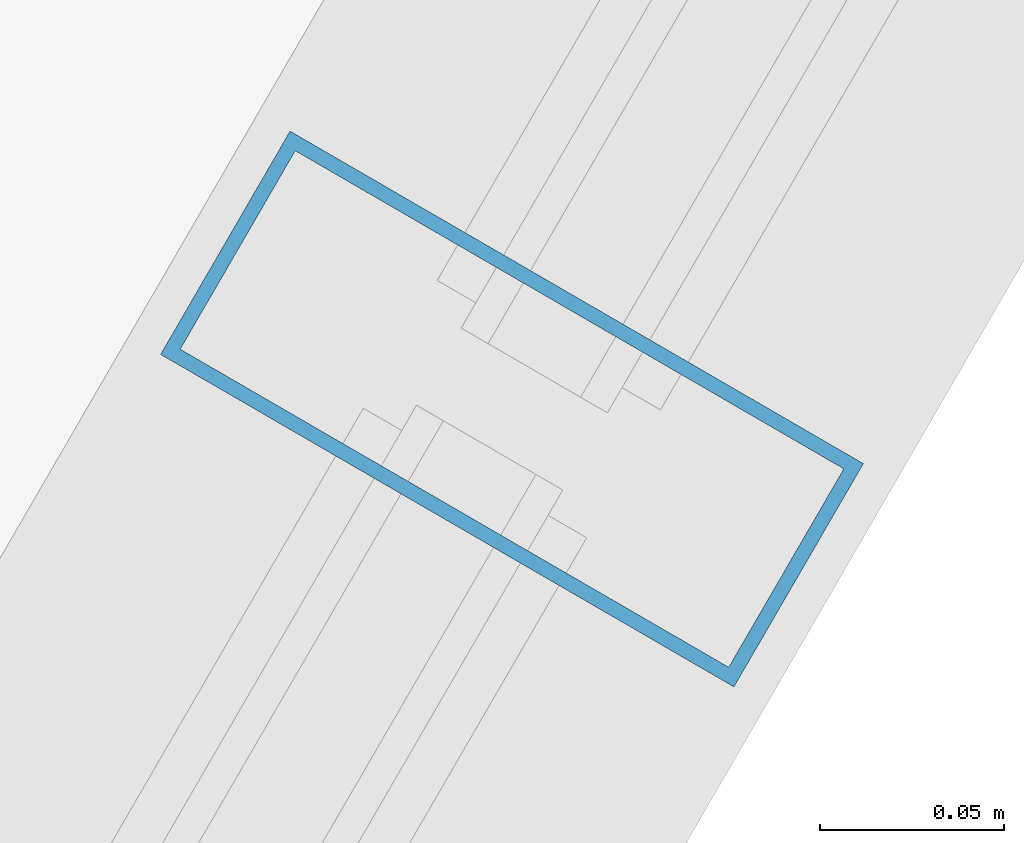
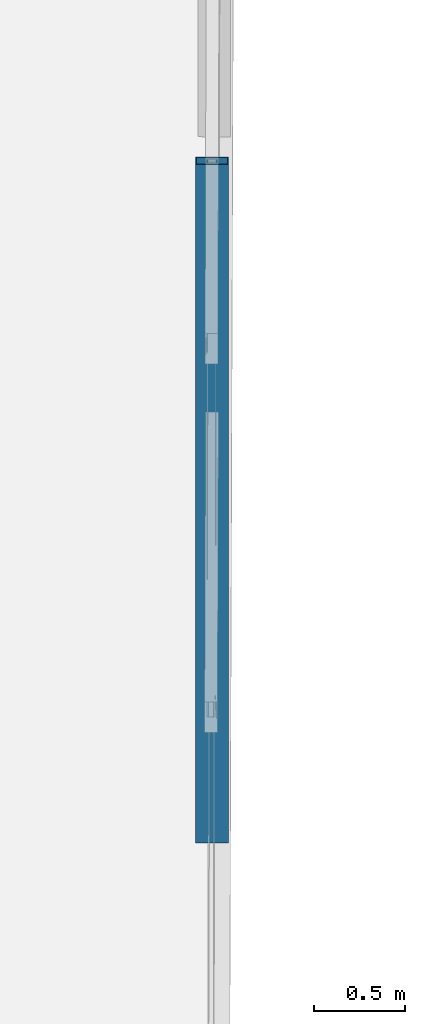
# One storey, part 61 of 186: 1 member, 1 element without a shape of its own.
"""IFC4 building model written with IfcOpenShell, lengths in metres."""

from ifc_helpers import new_model, si_unit, direction, frame, origin, origin_2d, place, context, subcontext, project, spatial, hollow_rectangle, extrude, material, layer, layer_set, material_profile, profile_set, type_object, element, aggregate, save


model = new_model("IFC4")

# Units and contexts
model_context = context("Model", 3, precision=1e-05, world=origin(), true_north=direction((0.0, 1.0)))
body_context = subcontext(model_context, "Body", "Model", "MODEL_VIEW")
ifc_project = project(units=[si_unit("LENGTHUNIT", "METRE"), si_unit("AREAUNIT", "SQUARE_METRE"), si_unit("VOLUMEUNIT", "CUBIC_METRE"), si_unit("PLANEANGLEUNIT", "RADIAN"), si_unit("MASSUNIT", "GRAM", prefix="KILO")], contexts=[model_context])

# Site, building, storey
site_placement = place(None, origin())
site = spatial("IfcSite", under=ifc_project, at=site_placement, CompositionType="ELEMENT")
building_placement = place(site_placement, origin())
building = spatial("IfcBuilding", under=site, at=building_placement, Name="Kazemori Nagisa Stadium", CompositionType="ELEMENT")
storey_placement = place(building_placement, frame((0.0, 0.0, 20.39990234375)))
storey = spatial("IfcBuildingStorey", under=building, at=storey_placement, Name="L04", CompositionType="ELEMENT", Elevation=20.39990234375)

# Curtain wall, member
ifc_material_1 = material(Name="Anodised aluminium 6063-T5", Category="aluminium")
ifc_layer = layer(ifc_material_1, 0.179931640625, Name="Anodised aluminium 6063-T5", Category="aluminium")
ifc_layer_set = layer_set([ifc_layer], Name="Anodised aluminium 6063-T5")
curtain_wall_type = type_object("IfcCurtainWallType", Name="CW_L04R3_101", PredefinedType="USERDEFINED", material=ifc_layer_set)
curtain_wall_placement = place(storey_placement, origin())
curtain_wall = element("IfcCurtainWall", 1, at=curtain_wall_placement, inside=storey, type_object=curtain_wall_type, Name="Unitised curtain wall CW-L04R3-101 L04", ObjectType="UNITISED CURTAIN WALL", PredefinedType="USERDEFINED")
ifc_material_2 = material(Name="Aluminium 6063-T5 anodised", Category="aluminium")
ifc_material_profile = material_profile(ifc_material_2, hollow_rectangle(XDim=0.070068359375, YDim=0.179931640625, WallThickness=0.00390625, at=origin_2d()), Name="ALU-MULL-70x180x4")
ifc_profile_set = profile_set([ifc_material_profile], Name="Aluminium 6063-T5 anodised")
member_type = type_object("IfcMemberType", Name="Mullion_M01", PredefinedType="MULLION", material=ifc_profile_set)
member_placement = place(storey_placement, frame((205.001220703125, 51.378662109375, 0.0), z_axis=(0.0, 0.0, 1.0), x_axis=(0.501611590054, 0.865092950337, 0.0)))
member = element("IfcMember", 2, at=member_placement, type_object=member_type, Name="Curtain wall mullion CW-L04R3-101-M2", PredefinedType="MULLION", context=body_context, shape_type="SweptSolid", body=[
    extrude(hollow_rectangle(XDim=0.070068359375, YDim=0.179931640625, WallThickness=0.00390625, at=origin_2d()), origin(), (0.0, 0.0, 1.0), 4.530029296875),
])
aggregate(curtain_wall, [member])

save(model, "model.ifc")
